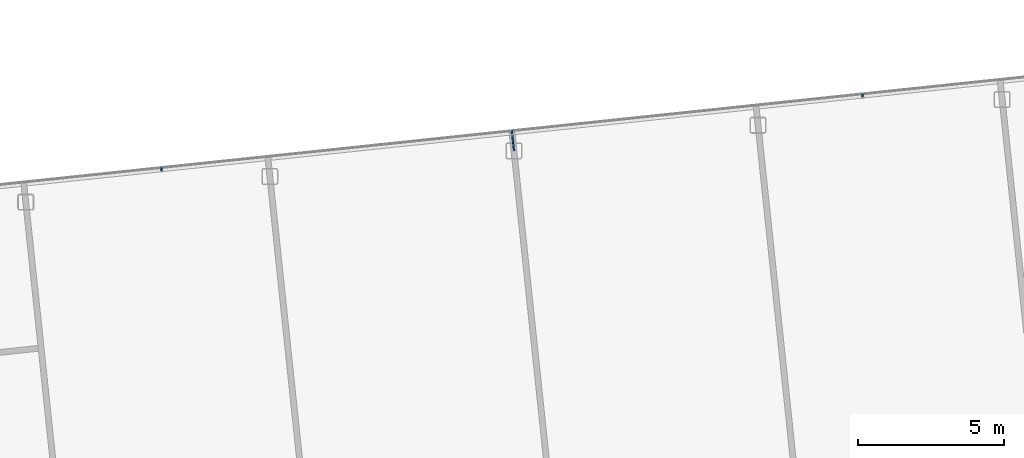
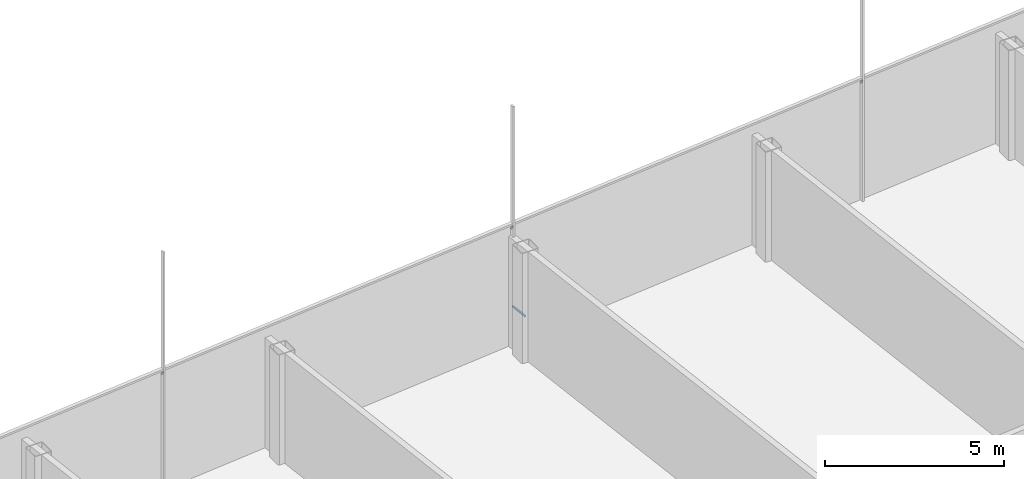
# One storey, part 33 of 41: 4 discrete accessories.
"""IFC4 building model written with IfcOpenShell, lengths in metres."""

from ifc_helpers import new_model, si_unit, direction, frame, origin, origin_2d, place, context, subcontext, project, spatial, rectangle, extrude, material, material_profile, profile_set, type_object, element, save


model = new_model("IFC4")

# Units and contexts
model_context = context("Model", 3, precision=1e-05, world=origin(), true_north=direction((0.0, 1.0)))
body_context = subcontext(model_context, "Body", "Model", "MODEL_VIEW")
ifc_project = project(units=[si_unit("LENGTHUNIT", "METRE"), si_unit("AREAUNIT", "SQUARE_METRE"), si_unit("VOLUMEUNIT", "CUBIC_METRE"), si_unit("PLANEANGLEUNIT", "RADIAN"), si_unit("MASSUNIT", "GRAM", prefix="KILO")], contexts=[model_context])

# Site, building, storey
site_placement = place(None, origin())
site = spatial("IfcSite", under=ifc_project, at=site_placement, CompositionType="ELEMENT")
building_placement = place(site_placement, origin())
building = spatial("IfcBuilding", under=site, at=building_placement, Name="Hakoniwa Tower and Hamabe Station Hall", CompositionType="ELEMENT")
storey_placement = place(building_placement, frame((0.0, 0.0, 276.60009765625)))
storey = spatial("IfcBuildingStorey", under=building, at=storey_placement, Name="L77", CompositionType="ELEMENT", Elevation=276.60009765625)

# Discrete accessories
ifc_material = material(Name="Stainless steel SUS304", Category="steel")
ifc_material_profile = material_profile(ifc_material, rectangle(XDim=0.050048828125, YDim=0.050048828125, at=origin_2d()), Name="CW-4 GLAZING BRACKET 50X50")
ifc_profile_set = profile_set([ifc_material_profile], Name="Stainless steel SUS304")
discrete_accessory_type = type_object("IfcDiscreteAccessoryType", Name="CW-4 GLAZING BRACKET 50X50", PredefinedType="BRACKET", material=ifc_profile_set)
discrete_accessory_1_placement = place(storey_placement, frame((-13.796142578125, 18.354736328125, 4.099853515625), z_axis=(-0.045758977939, 0.431190369039, -0.901099873258), x_axis=(-0.994416132921, -0.10552987533, 0.0)))
element("IfcDiscreteAccessory", 1, at=discrete_accessory_1_placement, inside=storey, type_object=discrete_accessory_type, Name="Glazing bracket", PredefinedType="BRACKET", context=body_context, shape_type="SweptSolid", body=[
    extrude(rectangle(XDim=0.050048828125, YDim=0.050048828125, at=origin_2d()), origin(), (0.0, 0.0, 1.0), 0.138671875),
])
discrete_accessory_2_placement = place(storey_placement, frame((-1.798828125, 19.61572265625, 1.366455078125), z_axis=(0.104455618622, -0.994529548952, 0.0), x_axis=(0.994529548952, 0.104455618622, 0.0)))
element("IfcDiscreteAccessory", 2, at=discrete_accessory_2_placement, inside=storey, type_object=discrete_accessory_type, Name="Glazing bracket", PredefinedType="BRACKET", context=body_context, shape_type="SweptSolid", body=[
    extrude(rectangle(XDim=0.050048828125, YDim=0.050048828125, at=origin_2d()), origin(), (0.0, 0.0, 1.0), 0.610107421875),
])
for number, where, z_axis, x_axis, name in (
    (3, (-1.798828125, 19.61572265625, 4.099853515625), (-0.045793671974, 0.429755998525, -0.901783078872), (-0.994370656274, -0.105957528947, 0.0), "Glazing bracket"),
    (4, (10.1982421875, 20.876708984375, 4.099853515625), (-0.044035860496, 0.429789998446, -0.901854422968), (-0.994792043555, -0.101925414299, 0.0), "Glazing bracket"),
):
    element("IfcDiscreteAccessory", number, at=place(storey_placement, frame(where, z_axis=z_axis, x_axis=x_axis)), inside=storey, type_object=discrete_accessory_type, Name=name, PredefinedType="BRACKET", context=body_context, shape_type="SweptSolid", body=[
        extrude(rectangle(XDim=0.050048828125, YDim=0.050048828125, at=origin_2d()), origin(), (0.0, 0.0, 1.0), 0.138671875),
    ])

save(model, "model.ifc")
